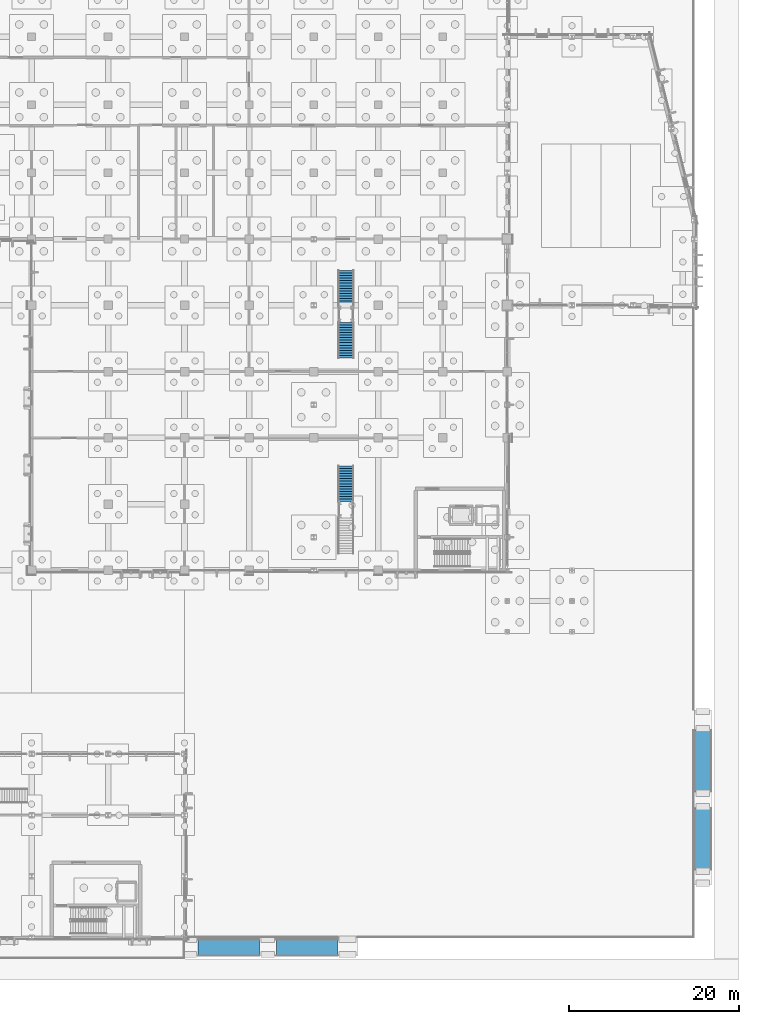
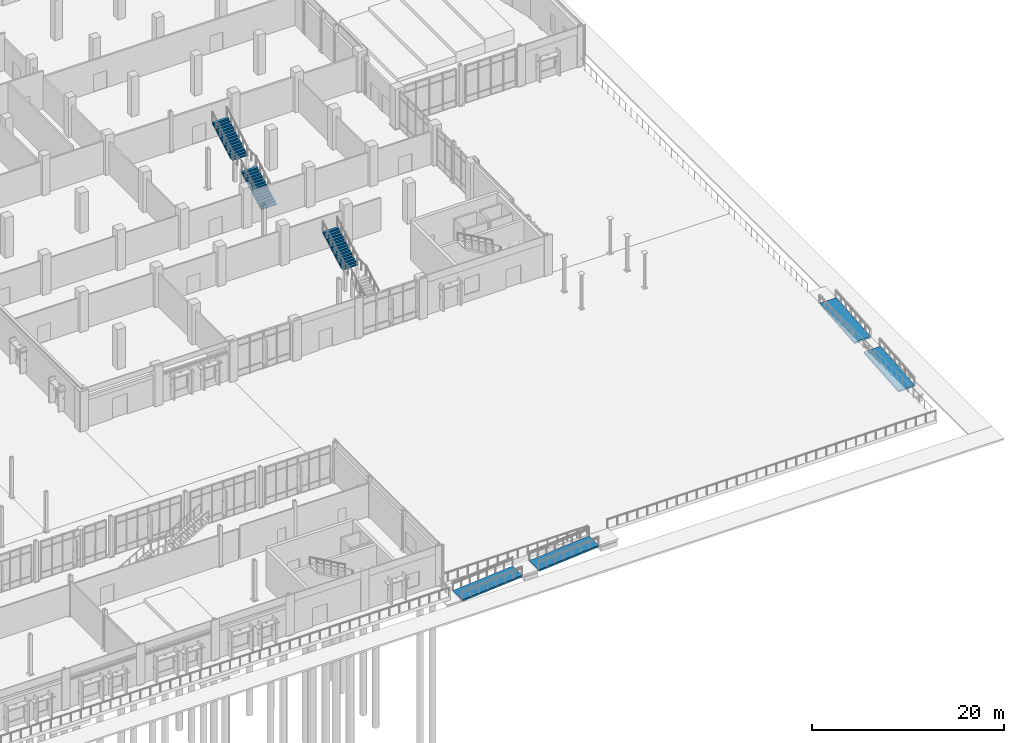
# One storey, part 72 of 94: 4 ramp flights, 3 stair flights, 4 elements without a shape of their own.
"""IFC4 building model written with IfcOpenShell, lengths in metres."""

from ifc_helpers import new_model, si_unit, direction, frame, origin, place, context, subcontext, project, spatial, polyline, outline, extrude, material, layer, layer_set, type_object, element, aggregate, save


model = new_model("IFC4")

# Units and contexts
model_context = context("Model", 3, precision=1e-05, world=origin(), true_north=direction((0.0, 1.0)))
body_context = subcontext(model_context, "Body", "Model", "MODEL_VIEW")
ifc_project = project(units=[si_unit("LENGTHUNIT", "METRE"), si_unit("AREAUNIT", "SQUARE_METRE"), si_unit("VOLUMEUNIT", "CUBIC_METRE"), si_unit("PLANEANGLEUNIT", "RADIAN"), si_unit("MASSUNIT", "GRAM", prefix="KILO")], contexts=[model_context])

# Site, building, storey
site_placement = place(None, origin())
site = spatial("IfcSite", under=ifc_project, at=site_placement, CompositionType="ELEMENT")
building_placement = place(site_placement, origin())
building = spatial("IfcBuilding", under=site, at=building_placement, Name="Vervanel Yard Central Library", CompositionType="ELEMENT")
storey_placement = place(building_placement, origin())
storey = spatial("IfcBuildingStorey", under=building, at=storey_placement, Name="L00", CompositionType="ELEMENT", Elevation=0.0)

# Stair, stair flight
ifc_material_1 = material(Name="Concrete C45/55", Category="concrete")
stair_type_1 = type_object("IfcStairType", Name="Architectural Feature Straight Stair FS-ST-01", PredefinedType="STRAIGHT_RUN_STAIR", material=ifc_material_1)
stair_1_placement = place(storey_placement, origin())
stair_1 = element("IfcStair", 1, at=stair_1_placement, inside=storey, type_object=stair_type_1, Name="L00 Feature Stair FS-ST-01", PredefinedType="STRAIGHT_RUN_STAIR")
stair_flight_type_1 = type_object("IfcStairFlightType", Name="Feature Stair Flight FS-ST-01-FL", PredefinedType="STRAIGHT", material=ifc_material_1)
stair_flight_1_placement = place(storey_placement, frame((127.0, 51.300048828125, 2.550048828125), z_axis=(0.0, 0.0, 1.0), x_axis=(0.0, 1.0, 0.0)))
stair_flight_1 = element("IfcStairFlight", 2, at=stair_flight_1_placement, type_object=stair_flight_type_1, Name="FST-01-L00 Flight 2", NumberOfRisers=15, NumberOfTreads=14, PredefinedType="STRAIGHT", RiserHeight=0.17, TreadLength=0.3, context=body_context, shape_type="SweptSolid", body=[
    extrude(outline(polyline([(0.0, 0.0), (0.0, 0.169921875), (0.300048828125, 0.169921875), (0.300048828125, 0.340087890625), (0.60009765625, 0.340087890625), (0.60009765625, 0.510009765625), (0.89990234375, 0.510009765625), (0.89990234375, 0.679931640625), (1.199951171875, 0.679931640625), (1.199951171875, 0.85009765625), (1.5, 0.85009765625), (1.5, 1.02001953125), (1.800048828125, 1.02001953125), (1.800048828125, 1.18994140625), (2.10009765625, 1.18994140625), (2.10009765625, 1.360107421875), (2.39990234375, 1.360107421875), (2.39990234375, 1.530029296875), (2.699951171875, 1.530029296875), (2.699951171875, 1.699951171875), (3.0, 1.699951171875), (3.0, 1.8701171875), (3.300048828125, 1.8701171875), (3.300048828125, 2.0400390625), (3.60009765625, 2.0400390625), (3.60009765625, 2.2099609375), (3.89990234375, 2.2099609375), (3.89990234375, 2.3798828125), (4.199951171875, 2.3798828125), (4.199951171875, 2.550048828125), (4.199951171875, 2.150146484375), (0.405517578125, 0.0), (0.0, 0.0)])), frame((0.0, 0.89990234375, 0.0), z_axis=(0.0, -1.0, 0.0), x_axis=(1.0, 0.0, 0.0)), (0.0, 0.0, 1.0), 1.800048828125),
])
aggregate(stair_1, [stair_flight_1])

# Stair, stair flights
stair_type_2 = type_object("IfcStairType", Name="Architectural Feature Straight Stair FS-ST-02", PredefinedType="STRAIGHT_RUN_STAIR", material=ifc_material_1)
stair_2_placement = place(storey_placement, origin())
stair_2 = element("IfcStair", 3, at=stair_2_placement, inside=storey, type_object=stair_type_2, Name="L00 Feature Stair FS-ST-02", PredefinedType="STRAIGHT_RUN_STAIR")
stair_flight_type_2 = type_object("IfcStairFlightType", Name="Feature Stair Flight FS-ST-02-FL", PredefinedType="STRAIGHT", material=ifc_material_1)
stair_flight_2_placement = place(storey_placement, frame((127.0, 68.199951171875, 0.0), z_axis=(0.0, 0.0, 1.0), x_axis=(0.0, 1.0, 0.0)))
stair_flight_2 = element("IfcStairFlight", 4, at=stair_flight_2_placement, type_object=stair_flight_type_2, Name="FST-02-L00 Flight 1", NumberOfRisers=15, NumberOfTreads=14, PredefinedType="STRAIGHT", RiserHeight=0.17, TreadLength=0.3, context=body_context, shape_type="SweptSolid", body=[
    extrude(outline(polyline([(0.0, 0.0), (0.0, 0.169921875), (0.300048828125, 0.169921875), (0.300048828125, 0.340087890625), (0.60009765625, 0.340087890625), (0.60009765625, 0.510009765625), (0.89990234375, 0.510009765625), (0.89990234375, 0.679931640625), (1.199951171875, 0.679931640625), (1.199951171875, 0.85009765625), (1.5, 0.85009765625), (1.5, 1.02001953125), (1.800048828125, 1.02001953125), (1.800048828125, 1.18994140625), (2.10009765625, 1.18994140625), (2.10009765625, 1.360107421875), (2.39990234375, 1.360107421875), (2.39990234375, 1.530029296875), (2.699951171875, 1.530029296875), (2.699951171875, 1.699951171875), (3.0, 1.699951171875), (3.0, 1.8701171875), (3.300048828125, 1.8701171875), (3.300048828125, 2.0400390625), (3.60009765625, 2.0400390625), (3.60009765625, 2.2099609375), (3.89990234375, 2.2099609375), (3.89990234375, 2.3798828125), (4.199951171875, 2.3798828125), (4.199951171875, 2.550048828125), (4.199951171875, 2.150146484375), (0.405517578125, 0.0), (0.0, 0.0)])), frame((0.0, 0.919921875, 0.0), z_axis=(0.0, -1.0, 0.0), x_axis=(1.0, 0.0, 0.0)), (0.0, 0.0, 1.0), 1.840087890625),
])
stair_flight_3_placement = place(storey_placement, frame((127.0, 74.300048828125, 2.550048828125), z_axis=(0.0, 0.0, 1.0), x_axis=(0.0, 1.0, 0.0)))
stair_flight_3 = element("IfcStairFlight", 5, at=stair_flight_3_placement, type_object=stair_flight_type_2, Name="FST-02-L00 Flight 2", NumberOfRisers=15, NumberOfTreads=14, PredefinedType="STRAIGHT", RiserHeight=0.17, TreadLength=0.3, context=body_context, shape_type="SweptSolid", body=[
    extrude(outline(polyline([(0.0, 0.0), (0.0, 0.169921875), (0.300048828125, 0.169921875), (0.300048828125, 0.340087890625), (0.60009765625, 0.340087890625), (0.60009765625, 0.510009765625), (0.89990234375, 0.510009765625), (0.89990234375, 0.679931640625), (1.199951171875, 0.679931640625), (1.199951171875, 0.85009765625), (1.5, 0.85009765625), (1.5, 1.02001953125), (1.800048828125, 1.02001953125), (1.800048828125, 1.18994140625), (2.10009765625, 1.18994140625), (2.10009765625, 1.360107421875), (2.39990234375, 1.360107421875), (2.39990234375, 1.530029296875), (2.699951171875, 1.530029296875), (2.699951171875, 1.699951171875), (3.0, 1.699951171875), (3.0, 1.8701171875), (3.300048828125, 1.8701171875), (3.300048828125, 2.0400390625), (3.60009765625, 2.0400390625), (3.60009765625, 2.2099609375), (3.89990234375, 2.2099609375), (3.89990234375, 2.3798828125), (4.199951171875, 2.3798828125), (4.199951171875, 2.550048828125), (4.199951171875, 2.150146484375), (0.405517578125, 0.0), (0.0, 0.0)])), frame((0.0, 0.919921875, 0.0), z_axis=(0.0, -1.0, 0.0), x_axis=(1.0, 0.0, 0.0)), (0.0, 0.0, 1.0), 1.840087890625),
])
aggregate(stair_2, [stair_flight_2, stair_flight_3])

# Ramp, ramp flights
ifc_material_2 = material(Name="Concrete C40/50", Category="concrete")
ramp_type = type_object("IfcRampType", Name="Accessible Plinth Concrete Ramp 2000", PredefinedType="STRAIGHT_RUN_RAMP", material=ifc_material_2)
ramp_1_placement = place(storey_placement, origin())
ramp_1 = element("IfcRamp", 6, at=ramp_1_placement, inside=storey, type_object=ramp_type, Name="Southeast Boulevard Accessible Pedestrian Ramp RM-01", PredefinedType="STRAIGHT_RUN_RAMP")
ifc_layer = layer(ifc_material_2, 0.219970703125, Category="concrete")
ifc_layer_set = layer_set([ifc_layer], Name="Concrete C40/50")
ramp_flight_type = type_object("IfcRampFlightType", Name="Accessible Ramp Concrete Flight 2000", PredefinedType="STRAIGHT", material=ifc_layer_set)
ramp_flight_1_placement = place(storey_placement, frame((109.60009765625, -1.199951171875, -1.199951171875), z_axis=(0.0, 0.0, 1.0), x_axis=(1.0, 0.0, 0.0)))
ramp_flight_1 = element("IfcRampFlight", 7, at=ramp_flight_1_placement, type_object=ramp_flight_type, Name="RAMP-01 Flight 1", PredefinedType="STRAIGHT", context=body_context, shape_type="SweptSolid", body=[
    extrude(outline(polyline([(0.0, 0.0), (0.0, -0.219970703125), (7.199951171875, 0.380126953125), (7.199951171875, 0.60009765625), (0.0, 0.0)])), frame((0.0, 1.0, 0.0), z_axis=(0.0, -1.0, 0.0), x_axis=(1.0, 0.0, 0.0)), (0.0, 0.0, 1.0), 2.0),
])
ramp_flight_2_placement = place(storey_placement, frame((118.800048828125, -1.199951171875, -0.60009765625), z_axis=(0.0, 0.0, 1.0), x_axis=(1.0, 0.0, 0.0)))
ramp_flight_2 = element("IfcRampFlight", 8, at=ramp_flight_2_placement, type_object=ramp_flight_type, Name="RAMP-01 Flight 2", PredefinedType="STRAIGHT", context=body_context, shape_type="SweptSolid", body=[
    extrude(outline(polyline([(0.0, 0.0), (0.0, -0.219970703125), (7.199951171875, 0.380126953125), (7.199951171875, 0.60009765625), (0.0, 0.0)])), frame((0.0, 1.0, 0.0), z_axis=(0.0, -1.0, 0.0), x_axis=(1.0, 0.0, 0.0)), (0.0, 0.0, 1.0), 2.0),
])
aggregate(ramp_1, [ramp_flight_1, ramp_flight_2])

ramp_2_placement = place(storey_placement, origin())
ramp_2 = element("IfcRamp", 9, at=ramp_2_placement, inside=storey, type_object=ramp_type, Name="East Forecourt Accessible Pedestrian Ramp RM-02", PredefinedType="STRAIGHT_RUN_RAMP")
ramp_flight_3_placement = place(storey_placement, frame((169.0, 8.0, -1.199951171875), z_axis=(0.0, 0.0, 1.0), x_axis=(0.0, 1.0, 0.0)))
ramp_flight_3 = element("IfcRampFlight", 10, at=ramp_flight_3_placement, type_object=ramp_flight_type, Name="RAMP-02 Flight 1", PredefinedType="STRAIGHT", context=body_context, shape_type="SweptSolid", body=[
    extrude(outline(polyline([(0.0, 0.0), (0.0, -0.219970703125), (7.199951171875, 0.380126953125), (7.199951171875, 0.60009765625), (0.0, 0.0)])), frame((0.0, 1.0, 0.0), z_axis=(0.0, -1.0, 0.0), x_axis=(1.0, 0.0, 0.0)), (0.0, 0.0, 1.0), 2.0),
])
ramp_flight_4_placement = place(storey_placement, frame((169.0, 17.199951171875, -0.60009765625), z_axis=(0.0, 0.0, 1.0), x_axis=(0.0, 1.0, 0.0)))
ramp_flight_4 = element("IfcRampFlight", 11, at=ramp_flight_4_placement, type_object=ramp_flight_type, Name="RAMP-02 Flight 2", PredefinedType="STRAIGHT", context=body_context, shape_type="SweptSolid", body=[
    extrude(outline(polyline([(0.0, 0.0), (0.0, -0.219970703125), (7.199951171875, 0.380126953125), (7.199951171875, 0.60009765625), (0.0, 0.0)])), frame((0.0, 1.0, 0.0), z_axis=(0.0, -1.0, 0.0), x_axis=(1.0, 0.0, 0.0)), (0.0, 0.0, 1.0), 2.0),
])
aggregate(ramp_2, [ramp_flight_3, ramp_flight_4])

save(model, "model.ifc")
